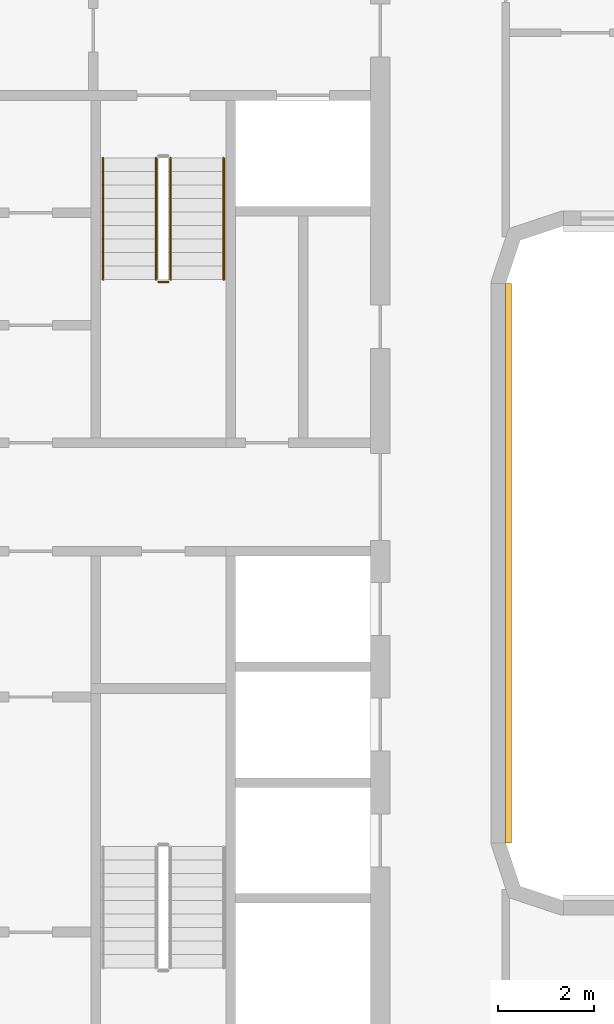
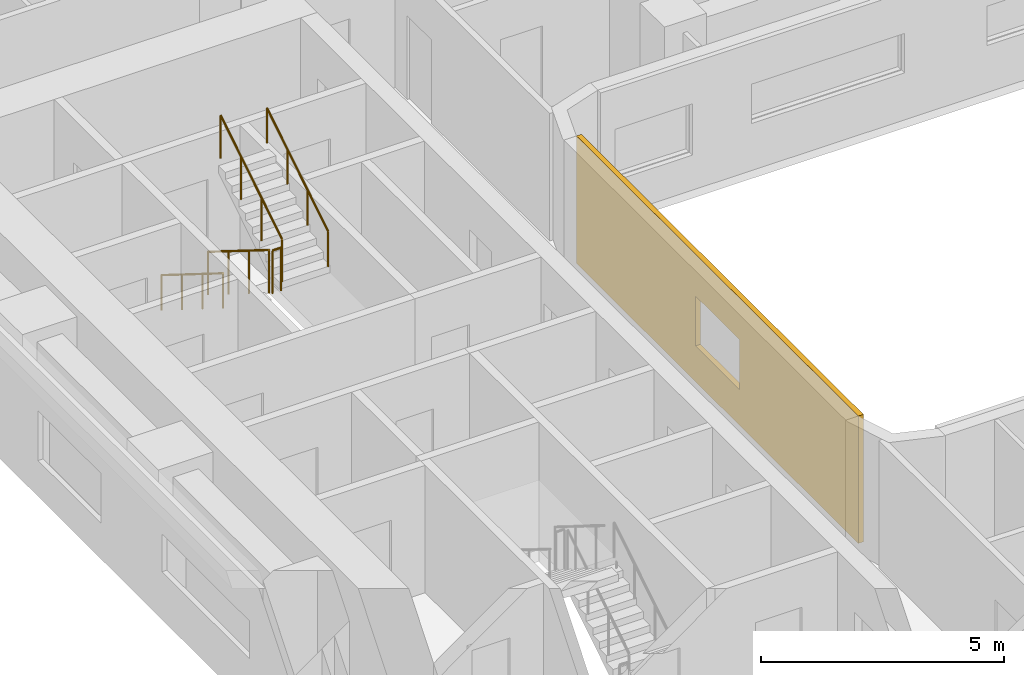
# One storey, part 16 of 22: 5 railings, 1 covering.
"""IFC4 building model written with IfcOpenShell, lengths in metres."""

from ifc_helpers import new_model, si_unit, direction, frame, origin, origin_2d, place, context, subcontext, project, spatial, polyline, circle, outline, extrude, material, layer, layer_set, type_object, element, save


model = new_model("IFC4")

# Units and contexts
model_context = context("Model", 3, precision=1e-05, world=origin(), true_north=direction((0.0, 1.0)))
body_context = subcontext(model_context, "Body", "Model", "MODEL_VIEW")
ifc_project = project(units=[si_unit("LENGTHUNIT", "METRE"), si_unit("AREAUNIT", "SQUARE_METRE"), si_unit("VOLUMEUNIT", "CUBIC_METRE"), si_unit("PLANEANGLEUNIT", "RADIAN"), si_unit("MASSUNIT", "GRAM", prefix="KILO")], contexts=[model_context])

# Site, building, storey
site_placement = place(None, origin())
site = spatial("IfcSite", under=ifc_project, at=site_placement, CompositionType="ELEMENT")
building_placement = place(site_placement, origin())
building = spatial("IfcBuilding", under=site, at=building_placement, Name="Kiln Ring Residences", CompositionType="ELEMENT")
storey_placement = place(building_placement, frame((0.0, 0.0, 90.300048828125)))
storey = spatial("IfcBuildingStorey", under=building, at=storey_placement, Name="L22", CompositionType="ELEMENT", Elevation=90.300048828125)

# Railings
ifc_material_1 = material(Name="Stainless steel", Category="steel")
railing_type_1 = type_object("IfcRailingType", Name="CORE-STAIR-GUARD", PredefinedType="GUARDRAIL", material=ifc_material_1)
railing_1_placement = place(storey_placement, frame((-22.25, 8.39990234375, 0.175048828125)))
element("IfcRailing", 1, at=railing_1_placement, inside=storey, type_object=railing_type_1, Name="L22 W-STN stair guard 1", PredefinedType="GUARDRAIL", context=body_context, shape_type="SweptSolid", body=[
    extrude(circle(Radius=0.02392578125, at=origin_2d()), frame((0.0, 0.0, 1.076171875), z_axis=(0.0, -0.848007534815, 0.529984170421), x_axis=(1.0, 0.0, 0.0)), (0.0, 0.0, 1.0), 2.9716796875),
    extrude(circle(Radius=0.02099609375, at=origin_2d()), origin(), (0.0, 0.0, 1.0), 1.052001953125),
    extrude(circle(Radius=0.02099609375, at=origin_2d()), frame((0.0, -0.840087890625, 0.52490234375)), (0.0, 0.0, 1.0), 1.052001953125),
    extrude(circle(Radius=0.02099609375, at=origin_2d()), frame((0.0, -1.679931640625, 1.050048828125)), (0.0, 0.0, 1.0), 1.052001953125),
    extrude(circle(Radius=0.02099609375, at=origin_2d()), frame((0.0, -2.52001953125, 1.574951171875)), (0.0, 0.0, 1.0), 1.052001953125),
])
railing_2_placement = place(storey_placement, frame((-22.199951171875, 5.830078125, 1.75)))
element("IfcRailing", 2, at=railing_2_placement, inside=storey, type_object=railing_type_1, Name="L22 W-STN stair guard 2", PredefinedType="GUARDRAIL", context=body_context, shape_type="SweptSolid", body=[
    extrude(circle(Radius=0.02392578125, at=origin_2d()), frame((0.0, 0.0, 1.076171875), z_axis=(1.0, 0.0, 0.0), x_axis=(0.0, 1.0, 0.0)), (0.0, 0.0, 1.0), 0.199951171875),
    extrude(circle(Radius=0.02099609375, at=origin_2d()), origin(), (0.0, 0.0, 1.0), 1.052001953125),
    extrude(circle(Radius=0.02099609375, at=origin_2d()), frame((0.199951171875, 0.0, 0.0)), (0.0, 0.0, 1.0), 1.052001953125),
])
railing_3_placement = place(storey_placement, frame((-21.949951171875, 5.8798828125, 1.925048828125)))
element("IfcRailing", 3, at=railing_3_placement, inside=storey, type_object=railing_type_1, Name="L22 W-STN stair guard 3", PredefinedType="GUARDRAIL", context=body_context, shape_type="SweptSolid", body=[
    extrude(circle(Radius=0.02392578125, at=origin_2d()), frame((0.0, 0.0, 1.076171875), z_axis=(0.0, 0.848007534815, 0.529984170421), x_axis=(-1.0, 0.0, 0.0)), (0.0, 0.0, 1.0), 2.9716796875),
    extrude(circle(Radius=0.02099609375, at=origin_2d()), origin(), (0.0, 0.0, 1.0), 1.052001953125),
    extrude(circle(Radius=0.02099609375, at=origin_2d()), frame((0.0, 0.840087890625, 0.52490234375)), (0.0, 0.0, 1.0), 1.052001953125),
    extrude(circle(Radius=0.02099609375, at=origin_2d()), frame((0.0, 1.679931640625, 1.050048828125)), (0.0, 0.0, 1.0), 1.052001953125),
    extrude(circle(Radius=0.02099609375, at=origin_2d()), frame((0.0, 2.52001953125, 1.574951171875)), (0.0, 0.0, 1.0), 1.052001953125),
])
ifc_material_2 = material(Name="Stainless steel", Category="steel")
railing_type_2 = type_object("IfcRailingType", Name="CORE-STAIR-HANDRAIL", PredefinedType="HANDRAIL", material=ifc_material_2)
railing_4_placement = place(storey_placement, frame((-23.35009765625, 8.39990234375, 0.175048828125)))
element("IfcRailing", 4, at=railing_4_placement, inside=storey, type_object=railing_type_2, Name="L22 W-STN stair handrail 1", PredefinedType="HANDRAIL", context=body_context, shape_type="SweptSolid", body=[
    extrude(circle(Radius=0.02392578125, at=origin_2d()), frame((0.0, 0.0, 0.8759765625), z_axis=(0.0, -0.848007534815, 0.529984170421), x_axis=(1.0, 0.0, 0.0)), (0.0, 0.0, 1.0), 2.9716796875),
    extrude(circle(Radius=0.02099609375, at=origin_2d()), origin(), (0.0, 0.0, 1.0), 0.851806640625),
    extrude(circle(Radius=0.02099609375, at=origin_2d()), frame((0.0, -0.840087890625, 0.52490234375)), (0.0, 0.0, 1.0), 0.851806640625),
    extrude(circle(Radius=0.02099609375, at=origin_2d()), frame((0.0, -1.679931640625, 1.050048828125)), (0.0, 0.0, 1.0), 0.851806640625),
    extrude(circle(Radius=0.02099609375, at=origin_2d()), frame((0.0, -2.52001953125, 1.574951171875)), (0.0, 0.0, 1.0), 0.851806640625),
])
railing_5_placement = place(storey_placement, frame((-20.85009765625, 5.8798828125, 1.925048828125)))
element("IfcRailing", 5, at=railing_5_placement, inside=storey, type_object=railing_type_2, Name="L22 W-STN stair handrail 2", PredefinedType="HANDRAIL", context=body_context, shape_type="SweptSolid", body=[
    extrude(circle(Radius=0.02392578125, at=origin_2d()), frame((0.0, 0.0, 0.8759765625), z_axis=(0.0, 0.848007534815, 0.529984170421), x_axis=(-1.0, 0.0, 0.0)), (0.0, 0.0, 1.0), 2.9716796875),
    extrude(circle(Radius=0.02099609375, at=origin_2d()), origin(), (0.0, 0.0, 1.0), 0.851806640625),
    extrude(circle(Radius=0.02099609375, at=origin_2d()), frame((0.0, 0.840087890625, 0.52490234375)), (0.0, 0.0, 1.0), 0.851806640625),
    extrude(circle(Radius=0.02099609375, at=origin_2d()), frame((0.0, 1.679931640625, 1.050048828125)), (0.0, 0.0, 1.0), 0.851806640625),
    extrude(circle(Radius=0.02099609375, at=origin_2d()), frame((0.0, 2.52001953125, 1.574951171875)), (0.0, 0.0, 1.0), 0.851806640625),
])

# Covering
ifc_material_3 = material(Name="Brick masonry, dark clay brick", Category="masonry")
ifc_layer = layer(ifc_material_3, 0.1201171875)
ifc_layer_set = layer_set([ifc_layer], Name="RAINSCREEN PANEL 120")
covering_type = type_object("IfcCoveringType", Name="RAINSCREEN PANEL 120", PredefinedType="CLADDING", material=ifc_layer_set)
covering_placement = place(storey_placement, frame((-14.93994140625, -5.800048828125, 0.0), z_axis=(0.0, 0.0, 1.0), x_axis=(0.0, 1.0, 0.0)))
element("IfcCovering", 6, at=covering_placement, inside=storey, type_object=covering_type, Name="RAINSCREEN L22", PredefinedType="CLADDING", context=body_context, shape_type="SweptSolid", body=[
    extrude(outline(polyline([(0.0, 0.0), (11.60009765625, 0.0), (11.60009765625, 3.199951171875), (0.0, 3.199951171875), (0.0, 0.0)]), holes=[polyline([(4.89990234375, 2.14990234375), (4.89990234375, 0.89990234375), (6.699951171875, 0.89990234375), (6.699951171875, 2.14990234375), (4.89990234375, 2.14990234375)])]), frame((0.0, 0.06005859375, 0.0), z_axis=(0.0, -1.0, 0.0), x_axis=(1.0, 0.0, 0.0)), (0.0, 0.0, 1.0), 0.1201171875),
])

save(model, "model.ifc")
